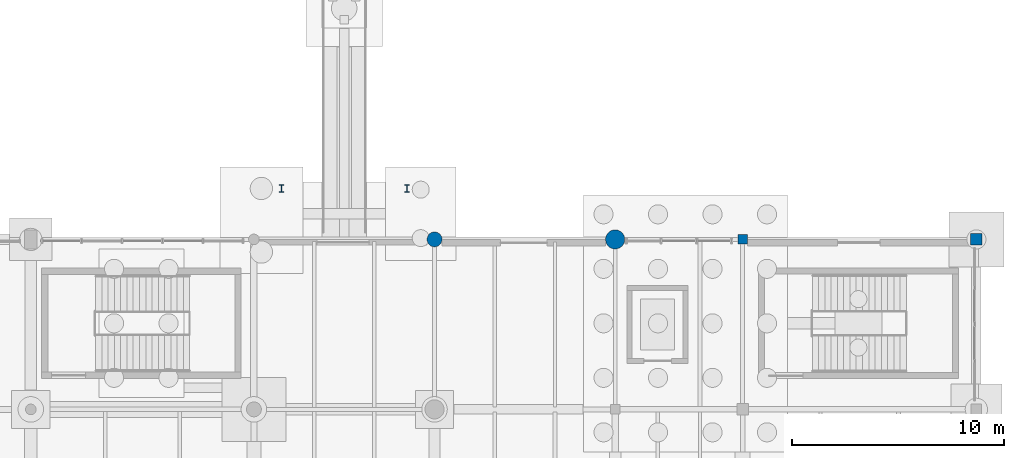
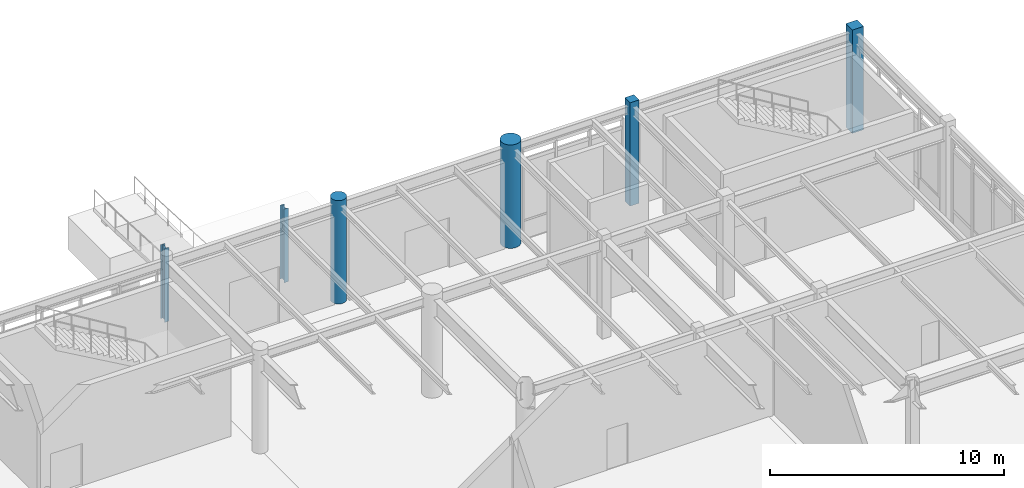
# One storey, part 25 of 203: 6 columns.
"""IFC4 building model written with IfcOpenShell, lengths in metres."""

from ifc_helpers import new_model, si_unit, direction, frame, origin, origin_2d, place, context, subcontext, project, spatial, rectangle, circle, i_section, extrude, material, material_profile, profile_set, type_object, element, save


model = new_model("IFC4")

# Units and contexts
model_context = context("Model", 3, precision=1e-05, world=origin(), true_north=direction((0.0, 1.0)))
body_context = subcontext(model_context, "Body", "Model", "MODEL_VIEW")
ifc_project = project(units=[si_unit("LENGTHUNIT", "METRE"), si_unit("AREAUNIT", "SQUARE_METRE"), si_unit("VOLUMEUNIT", "CUBIC_METRE"), si_unit("PLANEANGLEUNIT", "RADIAN"), si_unit("MASSUNIT", "GRAM", prefix="KILO"), si_unit("THERMODYNAMICTEMPERATUREUNIT", "KELVIN"), si_unit("POWERUNIT", "WATT")], contexts=[model_context])

# Site, building, storey
site_placement = place(None, origin())
site = spatial("IfcSite", under=ifc_project, at=site_placement, CompositionType="ELEMENT")
building_placement = place(site_placement, origin())
building = spatial("IfcBuilding", under=site, at=building_placement, Name="Tepalcoro Natatorium and Aquatics Centre", CompositionType="ELEMENT")
storey_placement = place(building_placement, origin())
storey = spatial("IfcBuildingStorey", under=building, at=storey_placement, Name="L00", CompositionType="ELEMENT", Elevation=0.0)

# Columns
ifc_material_1 = material(Name="Steel ASTM A992 Grade 50 (Fy 345 MPa)", Category="steel")
ifc_material_profile_1 = material_profile(ifc_material_1, i_section(OverallWidth=0.205078125, OverallDepth=0.35302734375, WebThickness=0.009033203125, FlangeThickness=0.01708984375, FilletRadius=0.013916015625, at=origin_2d()), Name="W14X53")
ifc_profile_set_1 = profile_set([ifc_material_profile_1], Name="Steel ASTM A992 Grade 50 (Fy 345 MPa)")
column_type_1 = type_object("IfcColumnType", Name="COL_CHS324x16", PredefinedType="COLUMN", material=ifc_profile_set_1)
for number, where, z_axis, x_axis, name in (
    (1, (143.300048828125, 120.39990234375, 0.0), (0.0, 0.0, 1.0), (1.0, 0.0, 0.0), "Canopy Support Post CN_V5_N1-1"),
    (2, (149.199951171875, 120.39990234375, 0.0), (0.0, 0.0, 1.0), (1.0, 0.0, 0.0), "Canopy Support Post CN_V5_N1-2"),
):
    element("IfcColumn", number, at=place(storey_placement, frame(where, z_axis=z_axis, x_axis=x_axis)), inside=storey, type_object=column_type_1, Name=name, PredefinedType="COLUMN", context=body_context, shape_type="SweptSolid", body=[
        extrude(i_section(OverallWidth=0.205078125, OverallDepth=0.35302734375, WebThickness=0.009033203125, FlangeThickness=0.01708984375, FilletRadius=0.013916015625, at=origin_2d()), origin(), (0.0, 0.0, 1.0), 3.85009765625),
    ])
ifc_material_2 = material(Name="Concrete C40/50 (fc 40 MPa)", Category="concrete")
ifc_material_profile_2 = material_profile(ifc_material_2, rectangle(XDim=0.449951171875, YDim=0.449951171875, at=origin_2d()), Name="RC450x450")
ifc_profile_set_2 = profile_set([ifc_material_profile_2], Name="Concrete C40/50 (fc 40 MPa)")
column_type_2 = type_object("IfcColumnType", Name="COL_RC_450x450", PredefinedType="COLUMN", material=ifc_profile_set_2)
column_1_placement = place(storey_placement, frame((165.0, 118.0, 0.0), z_axis=(0.0, 0.0, 1.0), x_axis=(1.0, 0.0, 0.0)))
element("IfcColumn", 3, at=column_1_placement, inside=storey, type_object=column_type_2, Name="V5 L00 Grid Column (165.0, 118.0)", PredefinedType="COLUMN", context=body_context, shape_type="SweptSolid", body=[
    extrude(rectangle(XDim=0.449951171875, YDim=0.449951171875, at=origin_2d()), origin(), (0.0, 0.0, 1.0), 5.39990234375),
])
ifc_material_profile_3 = material_profile(ifc_material_2, rectangle(XDim=0.550048828125, YDim=0.550048828125, at=origin_2d()), Name="RC550x550")
ifc_profile_set_3 = profile_set([ifc_material_profile_3], Name="Concrete C40/50 (fc 40 MPa)")
column_type_3 = type_object("IfcColumnType", Name="COL_RC_550x550", PredefinedType="COLUMN", material=ifc_profile_set_3)
column_2_placement = place(storey_placement, frame((176.0, 118.0, 0.0), z_axis=(0.0, 0.0, 1.0), x_axis=(1.0, 0.0, 0.0)))
element("IfcColumn", 4, at=column_2_placement, inside=storey, type_object=column_type_3, Name="V5 L00 Grid Column (176.0, 118.0)", PredefinedType="COLUMN", context=body_context, shape_type="SweptSolid", body=[
    extrude(rectangle(XDim=0.550048828125, YDim=0.550048828125, at=origin_2d()), origin(), (0.0, 0.0, 1.0), 5.39990234375),
])
ifc_material_profile_4 = material_profile(ifc_material_2, circle(Radius=0.35009765625, at=origin_2d()), Name="RCD700")
ifc_profile_set_4 = profile_set([ifc_material_profile_4], Name="Concrete C40/50 (fc 40 MPa)")
column_type_4 = type_object("IfcColumnType", Name="COL_RC_D700", PredefinedType="COLUMN", material=ifc_profile_set_4)
column_3_placement = place(storey_placement, frame((150.5, 118.0, 0.0), z_axis=(0.0, 0.0, 1.0), x_axis=(1.0, 0.0, 0.0)))
element("IfcColumn", 5, at=column_3_placement, inside=storey, type_object=column_type_4, Name="V5 L00 Grid Column (150.5, 118.0)", PredefinedType="COLUMN", context=body_context, shape_type="SweptSolid", body=[
    extrude(circle(Radius=0.35009765625, at=origin_2d()), origin(), (0.0, 0.0, 1.0), 5.39990234375),
])
ifc_material_profile_5 = material_profile(ifc_material_2, circle(Radius=0.449951171875, at=origin_2d()), Name="RCD900")
ifc_profile_set_5 = profile_set([ifc_material_profile_5], Name="Concrete C40/50 (fc 40 MPa)")
column_type_5 = type_object("IfcColumnType", Name="COL_RC_D900", PredefinedType="COLUMN", material=ifc_profile_set_5)
column_4_placement = place(storey_placement, frame((159.0, 118.0, 0.0), z_axis=(0.0, 0.0, 1.0), x_axis=(1.0, 0.0, 0.0)))
element("IfcColumn", 6, at=column_4_placement, inside=storey, type_object=column_type_5, Name="V5 L00 Grid Column (159.0, 118.0)", PredefinedType="COLUMN", context=body_context, shape_type="SweptSolid", body=[
    extrude(circle(Radius=0.449951171875, at=origin_2d()), origin(), (0.0, 0.0, 1.0), 5.39990234375),
])

save(model, "model.ifc")
